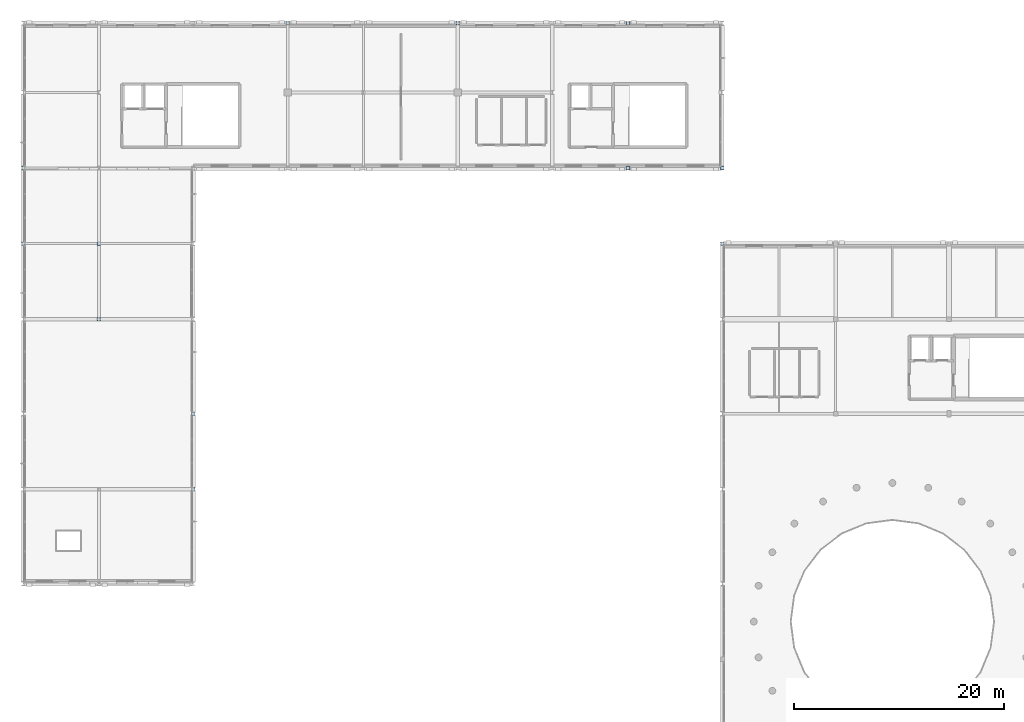
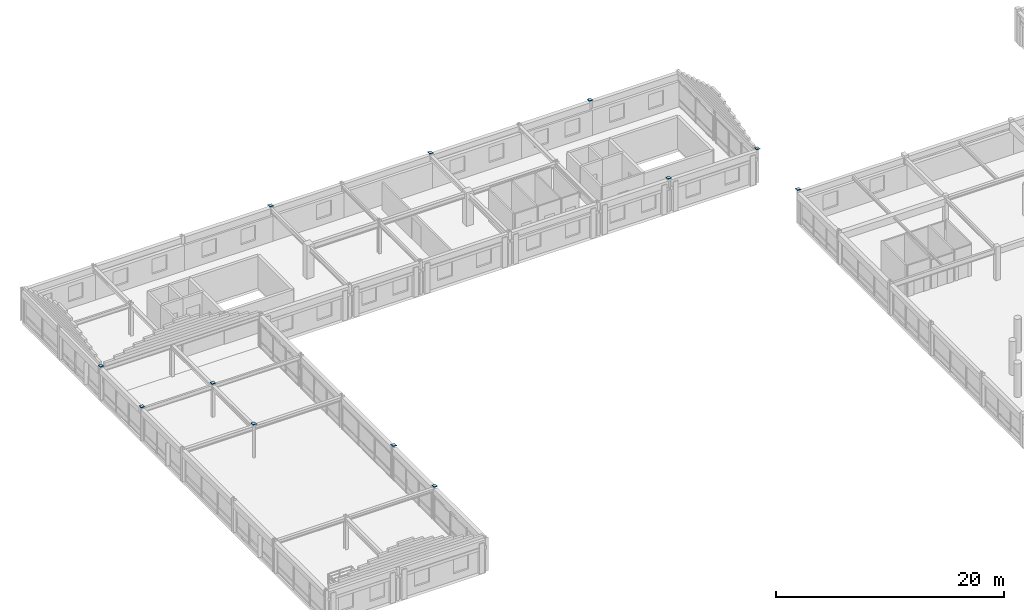
# One storey, part 37 of 52: 12 plates.
"""IFC4 building model written with IfcOpenShell, lengths in metres."""

from ifc_helpers import new_model, si_unit, direction, frame, origin, origin_2d, place, context, subcontext, project, spatial, rectangle, extrude, material, layer, layer_set, type_object, element, save


model = new_model("IFC4")

# Units and contexts
model_context = context("Model", 3, precision=1e-05, world=origin(), true_north=direction((0.0, 1.0)))
body_context = subcontext(model_context, "Body", "Model", "MODEL_VIEW")
ifc_project = project(units=[si_unit("LENGTHUNIT", "METRE"), si_unit("AREAUNIT", "SQUARE_METRE"), si_unit("VOLUMEUNIT", "CUBIC_METRE"), si_unit("PLANEANGLEUNIT", "RADIAN"), si_unit("MASSUNIT", "GRAM", prefix="KILO")], contexts=[model_context])

# Site, building, storey
site_placement = place(None, origin())
site = spatial("IfcSite", under=ifc_project, at=site_placement, CompositionType="ELEMENT")
building_placement = place(site_placement, origin())
building = spatial("IfcBuilding", under=site, at=building_placement, Name="Clarverna Civic Hall", CompositionType="ELEMENT")
storey_placement = place(building_placement, frame((0.0, 0.0, 16.800048828125)))
storey = spatial("IfcBuildingStorey", under=building, at=storey_placement, Name="L04", CompositionType="ELEMENT", Elevation=16.800048828125)

# Plates
ifc_material = material(Name="Steel S355", Category="steel")
ifc_layer = layer(ifc_material, 0.02001953125)
ifc_layer_set = layer_set([ifc_layer], Name="Steel S355")
plate_type = type_object("IfcPlateType", Name="NP-04", PredefinedType="SHEET", material=ifc_layer_set)
for number, where, z_axis, x_axis, name in (
    (1, (0.0, 95.0, 3.594970703125), (0.0, 0.0, 1.0), (1.0, 0.0, 0.0), "NP-04-003"),
    (2, (0.0, 102.199951171875, 3.594970703125), (0.0, 0.0, 1.0), (1.0, 0.0, 0.0), "NP-04-004"),
    (3, (7.199951171875, 87.800048828125, 3.594970703125), (0.0, 0.0, 1.0), (1.0, 0.0, 0.0), "NP-04-007"),
    (4, (7.199951171875, 95.0, 3.594970703125), (0.0, 0.0, 1.0), (1.0, 0.0, 0.0), "NP-04-008"),
    (5, (16.199951171875, 71.60009765625, 3.594970703125), (0.0, 0.0, 1.0), (1.0, 0.0, 0.0), "NP-04-010"),
    (6, (16.199951171875, 78.800048828125, 3.594970703125), (0.0, 0.0, 1.0), (1.0, 0.0, 0.0), "NP-04-011"),
    (7, (25.199951171875, 116.0, 3.594970703125), (0.0, 0.0, 1.0), (1.0, 0.0, 0.0), "NP-04-013"),
    (8, (41.39990234375, 116.0, 3.594970703125), (0.0, 0.0, 1.0), (1.0, 0.0, 0.0), "NP-04-016"),
    (9, (57.60009765625, 102.199951171875, 3.594970703125), (0.0, 0.0, 1.0), (1.0, 0.0, 0.0), "NP-04-018"),
    (10, (57.60009765625, 116.0, 3.594970703125), (0.0, 0.0, 1.0), (1.0, 0.0, 0.0), "NP-04-019"),
    (11, (66.60009765625, 95.0, 3.594970703125), (0.0, 0.0, 1.0), (1.0, 0.0, 0.0), "NP-04-022"),
    (12, (66.60009765625, 102.199951171875, 3.594970703125), (0.0, 0.0, 1.0), (1.0, 0.0, 0.0), "NP-04-023"),
):
    element("IfcPlate", number, at=place(storey_placement, frame(where, z_axis=z_axis, x_axis=x_axis)), inside=storey, type_object=plate_type, Name=name, PredefinedType="SHEET", context=body_context, shape_type="SweptSolid", body=[
        extrude(rectangle(XDim=0.360107421875, YDim=0.360107421875, at=origin_2d()), origin(), (0.0, 0.0, 1.0), 0.02490234375),
    ])

save(model, "model.ifc")
